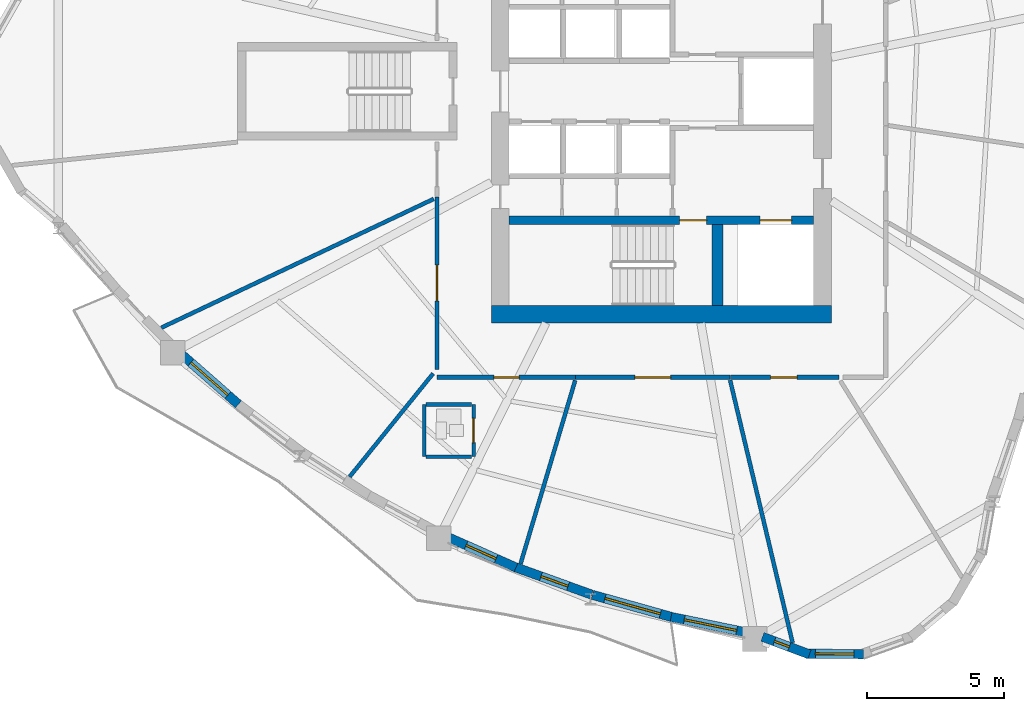
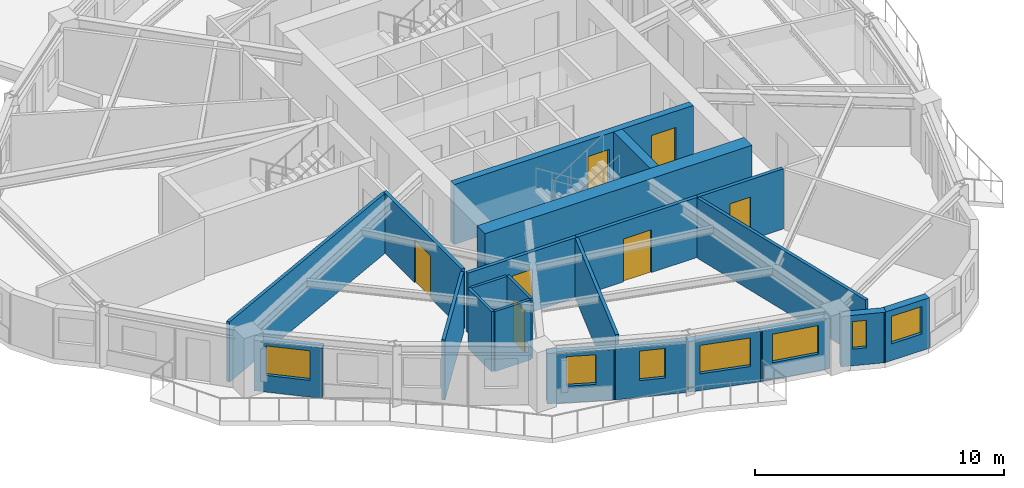
# One storey, part 3 of 13: 22 walls, 7 doors, 7 windows, 14 openings.
"""IFC4 building model written with IfcOpenShell, lengths in metres."""

from ifc_helpers import new_model, si_unit, direction, frame, frame_2d, origin, place, context, subcontext, project, spatial, rectangle, extrude, source, transform, mapped, material, layer, layer_set, type_object, element, fill, save


model = new_model("IFC4")

# Units and contexts
model_context = context("Model", 3, precision=1e-05, world=origin(), true_north=direction((0.0, 1.0)))
body_context = subcontext(model_context, "Body", "Model", "MODEL_VIEW")
ifc_project = project(units=[si_unit("LENGTHUNIT", "METRE"), si_unit("AREAUNIT", "SQUARE_METRE"), si_unit("VOLUMEUNIT", "CUBIC_METRE"), si_unit("PLANEANGLEUNIT", "RADIAN"), si_unit("MASSUNIT", "GRAM", prefix="KILO")], contexts=[model_context])

# Site, building, storey
site_placement = place(None, origin())
site = spatial("IfcSite", under=ifc_project, at=site_placement, CompositionType="ELEMENT")
building_placement = place(site_placement, origin())
building = spatial("IfcBuilding", under=site, at=building_placement, Name="Qafzar Sky-Pleat Residences", CompositionType="ELEMENT")
storey_placement = place(building_placement, frame((0.0, 0.0, 89.60009765625)))
storey = spatial("IfcBuildingStorey", under=building, at=storey_placement, Name="L26", CompositionType="ELEMENT", Elevation=89.60009765625)

# Wall, opening, door
ifc_material_1 = material(Name="Acoustic gypsum plasterboard partition", Category="gypsum")
ifc_layer_1 = layer(ifc_material_1, 0.159912109375)
ifc_layer_set_1 = layer_set([ifc_layer_1], Name="Acoustic gypsum plasterboard partition")
wall_type_1 = type_object("IfcWallType", Name="PART-COR-160", PredefinedType="PARTITIONING", material=ifc_layer_set_1)
wall_1_placement = place(storey_placement, frame((22.169921875, 15.862060546875, 0.0), z_axis=(0.0, 0.0, 1.0), x_axis=(0.0, 1.0, 0.0)))
wall_1 = element("IfcWall", 1, at=wall_1_placement, inside=storey, type_object=wall_type_1, Name="L26 Partition Wall PART-L26-PW-001", PredefinedType="PARTITIONING", context=body_context, shape_type="SweptSolid", body=[
    extrude(rectangle(XDim=6.286865234375, YDim=0.159912109375, at=frame_2d((3.1435546875, 0.0))), origin(), (0.0, 0.0, 1.0), 2.949951171875),
])
opening_1_placement = place(wall_1_placement, frame((2.49755859375, 0.0, 0.0)))
opening_1 = element("IfcOpeningElement", 2, at=opening_1_placement, cuts=wall_1, Name="Opening ID-05", PredefinedType="OPENING", context=body_context, shape_type="SweptSolid", body=[
    extrude(rectangle(XDim=1.300048828125, YDim=2.10009765625, at=frame_2d((0.64990234375, 1.050048828125))), frame((0.0, 0.08984375, 0.0), z_axis=(0.0, -1.0, 0.0), x_axis=(1.0, 0.0, 0.0)), (0.0, 0.0, 1.0), 0.179931640625),
])
ifc_material_2 = material(Name="Timber-faced fire door", Category="wood")
door_type_1 = type_object("IfcDoorType", Name="DR-LNG-1300", OperationType="DOUBLE_DOOR_SINGLE_SWING", PredefinedType="DOOR", material=ifc_material_2)
shared_shape_1 = source(origin(), body_context, "Body", "SweptSolid", [
    extrude(rectangle(XDim=1.300048828125, YDim=2.10009765625, at=frame_2d((0.64990234375, 1.050048828125))), frame((0.0, 0.02490234375, 0.0), z_axis=(0.0, -1.0, 0.0), x_axis=(1.0, 0.0, 0.0)), (0.0, 0.0, 1.0), 0.050048828125),
])
door_1_placement = place(opening_1_placement, origin())
door_1 = element("IfcDoor", 3, at=door_1_placement, inside=storey, type_object=door_type_1, Name="L26 Graduate Lecture Room Door", OperationType="DOUBLE_DOOR_SINGLE_SWING", OverallHeight=2.10009765625, OverallWidth=1.300048828125, PredefinedType="DOOR", context=body_context, shape_type="MappedRepresentation", body=[
    mapped(shared_shape_1, transform((0.0, 0.0, 0.0), x_axis=(1.0, 0.0, 0.0), y_axis=(0.0, 1.0, 0.0), z_axis=(0.0, 0.0, 1.0), scale=1.0)),
])
fill(opening_1, door_1)

wall_2_placement = place(storey_placement, frame((32.847900390625, 15.570068359375, 0.0), z_axis=(0.0, 0.0, 1.0), x_axis=(-1.0, 0.0, 0.0)))
wall_2 = element("IfcWall", 4, at=wall_2_placement, inside=storey, type_object=wall_type_1, Name="L26 Partition Wall PART-L26-PW-003", PredefinedType="PARTITIONING", context=body_context, shape_type="SweptSolid", body=[
    extrude(rectangle(XDim=5.620849609375, YDim=0.159912109375, at=frame_2d((2.810546875, 0.0))), origin(), (0.0, 0.0, 1.0), 2.949951171875),
])
opening_2_placement = place(wall_2_placement, frame((2.160400390625, 0.0, 0.0)))
opening_2 = element("IfcOpeningElement", 5, at=opening_2_placement, cuts=wall_2, Name="Opening ID-05", PredefinedType="OPENING", context=body_context, shape_type="SweptSolid", body=[
    extrude(rectangle(XDim=1.300048828125, YDim=2.10009765625, at=frame_2d((0.64990234375, 1.050048828125))), frame((0.0, 0.08984375, 0.0), z_axis=(0.0, -1.0, 0.0), x_axis=(1.0, 0.0, 0.0)), (0.0, 0.0, 1.0), 0.179931640625),
])
door_2_placement = place(opening_2_placement, origin())
door_2 = element("IfcDoor", 6, at=door_2_placement, inside=storey, type_object=door_type_1, Name="L26 Tutorial Huddle Room Door", OperationType="DOUBLE_DOOR_SINGLE_SWING", OverallHeight=2.10009765625, OverallWidth=1.300048828125, PredefinedType="DOOR", context=body_context, shape_type="MappedRepresentation", body=[
    mapped(shared_shape_1, transform((0.0, 0.0, 0.0), x_axis=(1.0, 0.0, 0.0), y_axis=(0.0, 1.0, 0.0), z_axis=(0.0, 0.0, 1.0), scale=1.0)),
])
fill(opening_2, door_2)

wall_3_placement = place(storey_placement, frame((27.2119140625, 15.570068359375, 0.0), z_axis=(0.0, 0.0, 1.0), x_axis=(-1.0, 0.0, 0.0)))
wall_3 = element("IfcWall", 7, at=wall_3_placement, inside=storey, type_object=wall_type_1, Name="L26 Partition Wall PART-L26-PW-004", PredefinedType="PARTITIONING", context=body_context, shape_type="SweptSolid", body=[
    extrude(rectangle(XDim=5.0419921875, YDim=0.159912109375, at=frame_2d((2.52099609375, 0.0))), origin(), (0.0, 0.0, 1.0), 2.949951171875),
])
opening_3_placement = place(wall_3_placement, frame((2.0458984375, 0.0, 0.0)))
opening_3 = element("IfcOpeningElement", 8, at=opening_3_placement, cuts=wall_3, Name="Opening ID-04", PredefinedType="OPENING", context=body_context, shape_type="SweptSolid", body=[
    extrude(rectangle(XDim=0.919921875, YDim=2.10009765625, at=frame_2d((0.4599609375, 1.050048828125))), frame((0.0, 0.08984375, 0.0), z_axis=(0.0, -1.0, 0.0), x_axis=(1.0, 0.0, 0.0)), (0.0, 0.0, 1.0), 0.179931640625),
])
door_type_2 = type_object("IfcDoorType", Name="DR-BED-920", OperationType="NOTDEFINED", PredefinedType="DOOR", material=ifc_material_2)
shared_shape_2 = source(origin(), body_context, "Body", "SweptSolid", [
    extrude(rectangle(XDim=0.919921875, YDim=2.10009765625, at=frame_2d((0.4599609375, 1.050048828125))), frame((0.0, 0.02490234375, 0.0), z_axis=(0.0, -1.0, 0.0), x_axis=(1.0, 0.0, 0.0)), (0.0, 0.0, 1.0), 0.050048828125),
])
door_3_placement = place(opening_3_placement, origin())
door_3 = element("IfcDoor", 9, at=door_3_placement, inside=storey, type_object=door_type_2, Name="L26 Co-Living Bedroom 1 Door", OperationType="SINGLE_SWING_LEFT", OverallHeight=2.10009765625, OverallWidth=0.919921875, PredefinedType="DOOR", context=body_context, shape_type="MappedRepresentation", body=[
    mapped(shared_shape_2, transform((0.0, 0.0, 0.0), x_axis=(1.0, 0.0, 0.0), y_axis=(0.0, 1.0, 0.0), z_axis=(0.0, 0.0, 1.0), scale=1.0)),
])
fill(opening_3, door_3)

wall_4_placement = place(storey_placement, frame((36.819091796875, 15.570068359375, 0.0), z_axis=(0.0, 0.0, 1.0), x_axis=(-1.0, 0.0, 0.0)))
wall_4 = element("IfcWall", 10, at=wall_4_placement, inside=storey, type_object=wall_type_1, Name="L26 Partition Wall PART-L26-PW-007", PredefinedType="PARTITIONING", context=body_context, shape_type="SweptSolid", body=[
    extrude(rectangle(XDim=3.9560546875, YDim=0.159912109375, at=frame_2d((1.97802734375, 0.0))), origin(), (0.0, 0.0, 1.0), 2.949951171875),
])
opening_4_placement = place(wall_4_placement, frame((1.52197265625, 0.0, 0.0)))
opening_4 = element("IfcOpeningElement", 11, at=opening_4_placement, cuts=wall_4, Name="Opening ID-06", PredefinedType="OPENING", context=body_context, shape_type="SweptSolid", body=[
    extrude(rectangle(XDim=0.9599609375, YDim=2.10009765625, at=frame_2d((0.47998046875, 1.050048828125))), frame((0.0, 0.08984375, 0.0), z_axis=(0.0, -1.0, 0.0), x_axis=(1.0, 0.0, 0.0)), (0.0, 0.0, 1.0), 0.179931640625),
])
door_type_3 = type_object("IfcDoorType", Name="DR-STD-960", OperationType="NOTDEFINED", PredefinedType="DOOR", material=ifc_material_2)
shared_shape_3 = source(origin(), body_context, "Body", "SweptSolid", [
    extrude(rectangle(XDim=0.9599609375, YDim=2.10009765625, at=frame_2d((0.47998046875, 1.050048828125))), frame((0.0, 0.02490234375, 0.0), z_axis=(0.0, -1.0, 0.0), x_axis=(1.0, 0.0, 0.0)), (0.0, 0.0, 1.0), 0.050048828125),
])
door_4_placement = place(opening_4_placement, origin())
door_4 = element("IfcDoor", 12, at=door_4_placement, inside=storey, type_object=door_type_3, Name="L26 Scholar Co-Working Workspace Door", OperationType="SINGLE_SWING_LEFT", OverallHeight=2.10009765625, OverallWidth=0.9599609375, PredefinedType="DOOR", context=body_context, shape_type="MappedRepresentation", body=[
    mapped(shared_shape_3, transform((0.0, 0.0, 0.0), x_axis=(1.0, 0.0, 0.0), y_axis=(0.0, 1.0, 0.0), z_axis=(0.0, 0.0, 1.0), scale=1.0)),
])
fill(opening_4, door_4)

# Walls
ifc_layer_2 = layer(ifc_material_1, 0.14501953125)
ifc_layer_set_2 = layer_set([ifc_layer_2], Name="Acoustic gypsum plasterboard partition")
wall_type_2 = type_object("IfcWallType", Name="PART-UNIT-145", PredefinedType="PARTITIONING", material=ifc_layer_set_2)
wall_5_placement = place(storey_placement, frame((12.122802734375, 17.3828125, 0.0), z_axis=(0.0, 0.0, 1.0), x_axis=(0.904049465168, 0.427427847162, 0.0)))
element("IfcWall", 13, at=wall_5_placement, inside=storey, type_object=wall_type_2, Name="L26 Partition Wall PART-L26-PW-023", PredefinedType="PARTITIONING", context=body_context, shape_type="SweptSolid", body=[
    extrude(rectangle(XDim=10.982666015625, YDim=0.14501953125, at=frame_2d((5.4912109375, 0.0))), origin(), (0.0, 0.0, 1.0), 2.949951171875),
])
wall_6_placement = place(storey_placement, frame((32.85791015625, 15.46533203125, 0.0), z_axis=(0.0, 0.0, 1.0), x_axis=(0.231516552249, -0.97283096478, 0.0)))
element("IfcWall", 14, at=wall_6_placement, inside=storey, type_object=wall_type_2, Name="L26 Partition Wall PART-L26-PW-024", PredefinedType="PARTITIONING", context=body_context, shape_type="SweptSolid", body=[
    extrude(rectangle(XDim=9.8408203125, YDim=0.14501953125, at=frame_2d((4.92041015625, 0.0))), origin(), (0.0, 0.0, 1.0), 2.949951171875),
])
wall_7_placement = place(storey_placement, frame((25.21728515625, 8.774169921875, 0.0), z_axis=(0.0, 0.0, 1.0), x_axis=(0.28553060174, 0.958369592313, 0.0)))
element("IfcWall", 15, at=wall_7_placement, inside=storey, type_object=wall_type_2, Name="L26 Partition Wall PART-L26-PW-030", PredefinedType="PARTITIONING", context=body_context, shape_type="SweptSolid", body=[
    extrude(rectangle(XDim=6.97802734375, YDim=0.14501953125, at=frame_2d((3.489013671875, 0.0))), origin(), (0.0, 0.0, 1.0), 2.949951171875),
])
wall_8_placement = place(storey_placement, frame((18.985595703125, 11.948486328125, 0.0), z_axis=(0.0, 0.0, 1.0), x_axis=(0.628820808954, 0.777550249326, 0.0)))
element("IfcWall", 16, at=wall_8_placement, inside=storey, type_object=wall_type_2, Name="L26 Partition Wall PART-L26-PW-038", PredefinedType="PARTITIONING", context=body_context, shape_type="SweptSolid", body=[
    extrude(rectangle(XDim=4.839111328125, YDim=0.14501953125, at=frame_2d((2.41943359375, 0.0))), origin(), (0.0, 0.0, 1.0), 2.949951171875),
])

# Wall, opening, door
ifc_material_3 = material(Name="Moisture-resistant gypsum partition", Category="gypsum")
ifc_layer_3 = layer(ifc_material_3, 0.1298828125)
ifc_layer_set_3 = layer_set([ifc_layer_3], Name="Moisture-resistant gypsum partition")
wall_type_3 = type_object("IfcWallType", Name="PART-WET-130", PredefinedType="PARTITIONING", material=ifc_layer_set_3)
wall_9_placement = place(storey_placement, frame((23.5029296875, 12.68310546875, 0.0), z_axis=(0.0, 0.0, 1.0), x_axis=(0.0, 1.0, 0.0)))
wall_9 = element("IfcWall", 17, at=wall_9_placement, inside=storey, type_object=wall_type_3, Name="L26 Partition Wall PART-L26-PW-015", PredefinedType="PARTITIONING", context=body_context, shape_type="SweptSolid", body=[
    extrude(rectangle(XDim=1.89990234375, YDim=0.1298828125, at=frame_2d((0.949951171875, 0.0))), origin(), (0.0, 0.0, 1.0), 2.949951171875),
])
opening_5_placement = place(wall_9_placement, frame((0.510009765625, 0.0, 0.0)))
opening_5 = element("IfcOpeningElement", 18, at=opening_5_placement, cuts=wall_9, Name="Opening ID-07", PredefinedType="OPENING", context=body_context, shape_type="SweptSolid", body=[
    extrude(rectangle(XDim=0.8798828125, YDim=2.050048828125, at=frame_2d((0.43994140625, 1.02490234375))), frame((0.0, 0.074951171875, 0.0), z_axis=(0.0, -1.0, 0.0), x_axis=(1.0, 0.0, 0.0)), (0.0, 0.0, 1.0), 0.14990234375),
])
door_type_4 = type_object("IfcDoorType", Name="DR-WET-880", OperationType="NOTDEFINED", PredefinedType="DOOR", material=ifc_material_2)
shared_shape_4 = source(origin(), body_context, "Body", "SweptSolid", [
    extrude(rectangle(XDim=0.8798828125, YDim=2.050048828125, at=frame_2d((0.43994140625, 1.02490234375))), frame((0.0, 0.02490234375, 0.0), z_axis=(0.0, -1.0, 0.0), x_axis=(1.0, 0.0, 0.0)), (0.0, 0.0, 1.0), 0.050048828125),
])
door_5_placement = place(opening_5_placement, origin())
door_5 = element("IfcDoor", 19, at=door_5_placement, inside=storey, type_object=door_type_4, Name="L26 En-suite Bathroom 1 Door", OperationType="SINGLE_SWING_LEFT", OverallHeight=2.050048828125, OverallWidth=0.8798828125, PredefinedType="DOOR", context=body_context, shape_type="MappedRepresentation", body=[
    mapped(shared_shape_4, transform((0.0, 0.0, 0.0), x_axis=(1.0, 0.0, 0.0), y_axis=(0.0, 1.0, 0.0), z_axis=(0.0, 0.0, 1.0), scale=1.0)),
])
fill(opening_5, door_5)

# Walls
wall_10_placement = place(storey_placement, frame((21.702880859375, 12.68310546875, 0.0), z_axis=(0.0, 0.0, 1.0), x_axis=(0.0, 1.0, 0.0)))
element("IfcWall", 20, at=wall_10_placement, inside=storey, type_object=wall_type_3, Name="L26 Partition Wall PART-L26-PW-042", PredefinedType="PARTITIONING", context=body_context, shape_type="SweptSolid", body=[
    extrude(rectangle(XDim=1.89990234375, YDim=0.1298828125, at=frame_2d((0.949951171875, 0.0))), origin(), (0.0, 0.0, 1.0), 2.949951171875),
])
for number, where, z_axis, x_axis, name in (
    (21, (21.77587890625, 14.5830078125, 0.0), (0.0, 0.0, 1.0), (1.0, 0.0, 0.0), "L26 Partition Wall PART-L26-PW-046"),
    (22, (21.77587890625, 12.68310546875, 0.0), (0.0, 0.0, 1.0), (1.0, 0.0, 0.0), "L26 Partition Wall PART-L26-PW-047"),
):
    element("IfcWall", number, at=place(storey_placement, frame(where, z_axis=z_axis, x_axis=x_axis)), inside=storey, type_object=wall_type_3, Name=name, PredefinedType="PARTITIONING", context=body_context, shape_type="SweptSolid", body=[
        extrude(rectangle(XDim=1.654052734375, YDim=0.1298828125, at=frame_2d((0.8271484375, 0.0))), origin(), (0.0, 0.0, 1.0), 2.949951171875),
    ])

# Wall, opening, window
ifc_material_4 = material(Name="Precast concrete C40/50 with honed Riyadh limestone", Category="concrete")
ifc_layer_4 = layer(ifc_material_4, 0.340087890625)
ifc_layer_set_4 = layer_set([ifc_layer_4], Name="Precast concrete C40/50 with honed Riyadh limestone")
wall_type_4 = type_object("IfcWallType", Name="WALL-EXT-340", PredefinedType="SOLIDWALL", material=ifc_layer_set_4)
wall_11_placement = place(storey_placement, frame((12.818603515625, 16.44140625, 0.0), z_axis=(0.0, 0.0, 1.0), x_axis=(0.751471759174, -0.659765257621, 0.0)))
wall_11 = element("IfcWall", 23, at=wall_11_placement, inside=storey, type_object=wall_type_4, Name="L26 Limestone Facade Wall 9", PredefinedType="SOLIDWALL", context=body_context, shape_type="SweptSolid", body=[
    extrude(rectangle(XDim=2.80859375, YDim=0.340087890625, at=frame_2d((1.404296875, 0.0))), origin(), (0.0, 0.0, 1.0), 2.47998046875),
])
opening_6_placement = place(wall_11_placement, frame((0.499267578125, 0.0, 0.820068359375)))
opening_6 = element("IfcOpeningElement", 24, at=opening_6_placement, cuts=wall_11, Name="Opening WN-01", PredefinedType="OPENING", context=body_context, shape_type="SweptSolid", body=[
    extrude(rectangle(XDim=1.800048828125, YDim=1.449951171875, at=frame_2d((0.89990234375, 0.72509765625))), frame((0.0, 0.18017578125, 0.0), z_axis=(0.0, -1.0, 0.0), x_axis=(1.0, 0.0, 0.0)), (0.0, 0.0, 1.0), 0.360107421875),
])
ifc_material_5 = material(Name="Solar-control low-E glass in bronze aluminium frame", Category="glass")
window_type_1 = type_object("IfcWindowType", Name="WIN-01", PartitioningType="DOUBLE_PANEL_VERTICAL", PredefinedType="WINDOW", material=ifc_material_5)
shared_shape_5 = source(origin(), body_context, "Body", "SweptSolid", [
    extrude(rectangle(XDim=1.800048828125, YDim=1.449951171875, at=frame_2d((0.89990234375, 0.72509765625))), frame((0.0, 0.030029296875, 0.0), z_axis=(0.0, -1.0, 0.0), x_axis=(1.0, 0.0, 0.0)), (0.0, 0.0, 1.0), 0.06005859375),
])
window_1_placement = place(opening_6_placement, origin())
window_1 = element("IfcWindow", 25, at=window_1_placement, inside=storey, type_object=window_type_1, Name="L26 Punched Facade Window 09", OverallHeight=1.449951171875, OverallWidth=1.800048828125, PartitioningType="SINGLE_PANEL", PredefinedType="WINDOW", context=body_context, shape_type="MappedRepresentation", body=[
    mapped(shared_shape_5, transform((0.0, 0.0, 0.0), x_axis=(1.0, 0.0, 0.0), y_axis=(0.0, 1.0, 0.0), z_axis=(0.0, 0.0, 1.0), scale=1.0)),
])
fill(opening_6, window_1)

wall_12_placement = place(storey_placement, frame((22.515625, 9.7666015625, 0.0), z_axis=(0.0, 0.0, 1.0), x_axis=(0.9134265589, -0.407003589046, 0.0)))
wall_12 = element("IfcWall", 26, at=wall_12_placement, inside=storey, type_object=wall_type_4, Name="L26 Limestone Facade Wall 13", PredefinedType="SOLIDWALL", context=body_context, shape_type="SweptSolid", body=[
    extrude(rectangle(XDim=2.77490234375, YDim=0.340087890625, at=frame_2d((1.387451171875, 0.0))), origin(), (0.0, 0.0, 1.0), 2.47998046875),
])
opening_7_placement = place(wall_12_placement, frame((0.782470703125, 0.0, 0.820068359375)))
opening_7 = element("IfcOpeningElement", 27, at=opening_7_placement, cuts=wall_12, Name="Opening WN-05", PredefinedType="OPENING", context=body_context, shape_type="SweptSolid", body=[
    extrude(rectangle(XDim=1.199951171875, YDim=1.449951171875, at=frame_2d((0.60009765625, 0.72509765625))), frame((0.0, 0.18017578125, 0.0), z_axis=(0.0, -1.0, 0.0), x_axis=(1.0, 0.0, 0.0)), (0.0, 0.0, 1.0), 0.360107421875),
])
window_type_2 = type_object("IfcWindowType", Name="WIN-05", PartitioningType="SINGLE_PANEL", PredefinedType="WINDOW", material=ifc_material_5)
shared_shape_6 = source(origin(), body_context, "Body", "SweptSolid", [
    extrude(rectangle(XDim=1.199951171875, YDim=1.449951171875, at=frame_2d((0.60009765625, 0.72509765625))), frame((0.0, 0.030029296875, 0.0), z_axis=(0.0, -1.0, 0.0), x_axis=(1.0, 0.0, 0.0)), (0.0, 0.0, 1.0), 0.06005859375),
])
window_2_placement = place(opening_7_placement, origin())
window_2 = element("IfcWindow", 28, at=window_2_placement, inside=storey, type_object=window_type_2, Name="L26 Punched Facade Window 13", OverallHeight=1.449951171875, OverallWidth=1.199951171875, PartitioningType="SINGLE_PANEL", PredefinedType="WINDOW", context=body_context, shape_type="MappedRepresentation", body=[
    mapped(shared_shape_6, transform((0.0, 0.0, 0.0), x_axis=(1.0, 0.0, 0.0), y_axis=(0.0, 1.0, 0.0), z_axis=(0.0, 0.0, 1.0), scale=1.0)),
])
fill(opening_7, window_2)

wall_13_placement = place(storey_placement, frame((24.968017578125, 8.670166015625, 0.0), z_axis=(0.0, 0.0, 1.0), x_axis=(0.941101658803, -0.33812374628, 0.0)))
wall_13 = element("IfcWall", 29, at=wall_13_placement, inside=storey, type_object=wall_type_4, Name="L26 Limestone Facade Wall 14", PredefinedType="SOLIDWALL", context=body_context, shape_type="SweptSolid", body=[
    extrude(rectangle(XDim=3.018798828125, YDim=0.340087890625, at=frame_2d((1.50927734375, 0.0))), origin(), (0.0, 0.0, 1.0), 2.47998046875),
])
opening_8_placement = place(wall_13_placement, frame((1.0546875, 0.0, 0.820068359375)))
opening_8 = element("IfcOpeningElement", 30, at=opening_8_placement, cuts=wall_13, Name="Opening WN-06", PredefinedType="OPENING", context=body_context, shape_type="SweptSolid", body=[
    extrude(rectangle(XDim=1.050048828125, YDim=1.449951171875, at=frame_2d((0.52490234375, 0.72509765625))), frame((0.0, 0.18017578125, 0.0), z_axis=(0.0, -1.0, 0.0), x_axis=(1.0, 0.0, 0.0)), (0.0, 0.0, 1.0), 0.360107421875),
])
window_type_3 = type_object("IfcWindowType", Name="WIN-06", PartitioningType="SINGLE_PANEL", PredefinedType="WINDOW", material=ifc_material_5)
shared_shape_7 = source(origin(), body_context, "Body", "SweptSolid", [
    extrude(rectangle(XDim=1.050048828125, YDim=1.449951171875, at=frame_2d((0.52490234375, 0.72509765625))), frame((0.0, 0.030029296875, 0.0), z_axis=(0.0, -1.0, 0.0), x_axis=(1.0, 0.0, 0.0)), (0.0, 0.0, 1.0), 0.06005859375),
])
window_3_placement = place(opening_8_placement, origin())
window_3 = element("IfcWindow", 31, at=window_3_placement, inside=storey, type_object=window_type_3, Name="L26 Punched Facade Window 14", OverallHeight=1.449951171875, OverallWidth=1.050048828125, PartitioningType="SINGLE_PANEL", PredefinedType="WINDOW", context=body_context, shape_type="MappedRepresentation", body=[
    mapped(shared_shape_7, transform((0.0, 0.0, 0.0), x_axis=(1.0, 0.0, 0.0), y_axis=(0.0, 1.0, 0.0), z_axis=(0.0, 0.0, 1.0), scale=1.0)),
])
fill(opening_8, window_3)

wall_14_placement = place(storey_placement, frame((27.835205078125, 7.64111328125, 0.0), z_axis=(0.0, 0.0, 1.0), x_axis=(0.963049084537, -0.269325937802, 0.0)))
wall_14 = element("IfcWall", 32, at=wall_14_placement, inside=storey, type_object=wall_type_4, Name="L26 Limestone Facade Wall 15", PredefinedType="SOLIDWALL", context=body_context, shape_type="SweptSolid", body=[
    extrude(rectangle(XDim=3.068359375, YDim=0.340087890625, at=frame_2d((1.5341796875, 0.0))), origin(), (0.0, 0.0, 1.0), 2.47998046875),
])
opening_9_placement = place(wall_14_placement, frame((0.47412109375, 0.0, 0.820068359375)))
opening_9 = element("IfcOpeningElement", 33, at=opening_9_placement, cuts=wall_14, Name="Opening WN-07", PredefinedType="OPENING", context=body_context, shape_type="SweptSolid", body=[
    extrude(rectangle(XDim=2.10009765625, YDim=1.39990234375, at=frame_2d((1.050048828125, 0.699951171875))), frame((0.0, 0.18017578125, 0.0), z_axis=(0.0, -1.0, 0.0), x_axis=(1.0, 0.0, 0.0)), (0.0, 0.0, 1.0), 0.360107421875),
])
window_type_4 = type_object("IfcWindowType", Name="WIN-07", PartitioningType="DOUBLE_PANEL_VERTICAL", PredefinedType="WINDOW", material=ifc_material_5)
shared_shape_8 = source(origin(), body_context, "Body", "SweptSolid", [
    extrude(rectangle(XDim=2.10009765625, YDim=1.39990234375, at=frame_2d((1.050048828125, 0.699951171875))), frame((0.0, 0.030029296875, 0.0), z_axis=(0.0, -1.0, 0.0), x_axis=(1.0, 0.0, 0.0)), (0.0, 0.0, 1.0), 0.06005859375),
])
window_4_placement = place(opening_9_placement, origin())
window_4 = element("IfcWindow", 34, at=window_4_placement, inside=storey, type_object=window_type_4, Name="L26 Punched Facade Window 15", OverallHeight=1.39990234375, OverallWidth=2.10009765625, PartitioningType="SINGLE_PANEL", PredefinedType="WINDOW", context=body_context, shape_type="MappedRepresentation", body=[
    mapped(shared_shape_8, transform((0.0, 0.0, 0.0), x_axis=(1.0, 0.0, 0.0), y_axis=(0.0, 1.0, 0.0), z_axis=(0.0, 0.0, 1.0), scale=1.0)),
])
fill(opening_9, window_4)

wall_15_placement = place(storey_placement, frame((30.705078125, 6.835205078125, 0.0), z_axis=(0.0, 0.0, 1.0), x_axis=(0.979433750273, -0.201766024954, 0.0)))
wall_15 = element("IfcWall", 35, at=wall_15_placement, inside=storey, type_object=wall_type_4, Name="L26 Limestone Facade Wall 16", PredefinedType="SOLIDWALL", context=body_context, shape_type="SweptSolid", body=[
    extrude(rectangle(XDim=2.92333984375, YDim=0.340087890625, at=frame_2d((1.461669921875, 0.0))), origin(), (0.0, 0.0, 1.0), 2.47998046875),
])
opening_10_placement = place(wall_15_placement, frame((0.49169921875, 0.0, 0.820068359375)))
opening_10 = element("IfcOpeningElement", 36, at=opening_10_placement, cuts=wall_15, Name="Opening WN-08", PredefinedType="OPENING", context=body_context, shape_type="SweptSolid", body=[
    extrude(rectangle(XDim=1.949951171875, YDim=1.39990234375, at=frame_2d((0.97509765625, 0.699951171875))), frame((0.0, 0.18017578125, 0.0), z_axis=(0.0, -1.0, 0.0), x_axis=(1.0, 0.0, 0.0)), (0.0, 0.0, 1.0), 0.360107421875),
])
window_type_5 = type_object("IfcWindowType", Name="WIN-08", PartitioningType="DOUBLE_PANEL_VERTICAL", PredefinedType="WINDOW", material=ifc_material_5)
shared_shape_9 = source(origin(), body_context, "Body", "SweptSolid", [
    extrude(rectangle(XDim=1.949951171875, YDim=1.39990234375, at=frame_2d((0.97509765625, 0.699951171875))), frame((0.0, 0.030029296875, 0.0), z_axis=(0.0, -1.0, 0.0), x_axis=(1.0, 0.0, 0.0)), (0.0, 0.0, 1.0), 0.06005859375),
])
window_5_placement = place(opening_10_placement, origin())
window_5 = element("IfcWindow", 37, at=window_5_placement, inside=storey, type_object=window_type_5, Name="L26 Punched Facade Window 16", OverallHeight=1.39990234375, OverallWidth=1.949951171875, PartitioningType="SINGLE_PANEL", PredefinedType="WINDOW", context=body_context, shape_type="MappedRepresentation", body=[
    mapped(shared_shape_9, transform((0.0, 0.0, 0.0), x_axis=(1.0, 0.0, 0.0), y_axis=(0.0, 1.0, 0.0), z_axis=(0.0, 0.0, 1.0), scale=1.0)),
])
fill(opening_10, window_5)

wall_16_placement = place(storey_placement, frame((34.0341796875, 6.111328125, 0.0), z_axis=(0.0, 0.0, 1.0), x_axis=(0.936815884802, -0.349822809409, 0.0)))
wall_16 = element("IfcWall", 38, at=wall_16_placement, inside=storey, type_object=wall_type_4, Name="L26 Limestone Facade Wall 17", PredefinedType="SOLIDWALL", context=body_context, shape_type="SweptSolid", body=[
    extrude(rectangle(XDim=1.831298828125, YDim=0.340087890625, at=frame_2d((0.91552734375, 0.0))), origin(), (0.0, 0.0, 1.0), 2.47998046875),
])
opening_11_placement = place(wall_16_placement, frame((0.46630859375, 0.0, 0.820068359375)))
opening_11 = element("IfcOpeningElement", 39, at=opening_11_placement, cuts=wall_16, Name="Opening WN-17", PredefinedType="OPENING", context=body_context, shape_type="SweptSolid", body=[
    extrude(rectangle(XDim=0.580078125, YDim=1.35009765625, at=frame_2d((0.2900390625, 0.675048828125))), frame((0.0, 0.18017578125, 0.0), z_axis=(0.0, -1.0, 0.0), x_axis=(1.0, 0.0, 0.0)), (0.0, 0.0, 1.0), 0.360107421875),
])
window_type_6 = type_object("IfcWindowType", Name="WIN-17", PartitioningType="SINGLE_PANEL", PredefinedType="WINDOW", material=ifc_material_5)
shared_shape_10 = source(origin(), body_context, "Body", "SweptSolid", [
    extrude(rectangle(XDim=0.580078125, YDim=1.35009765625, at=frame_2d((0.2900390625, 0.675048828125))), frame((0.0, 0.030029296875, 0.0), z_axis=(0.0, -1.0, 0.0), x_axis=(1.0, 0.0, 0.0)), (0.0, 0.0, 1.0), 0.06005859375),
])
window_6_placement = place(opening_11_placement, origin())
window_6 = element("IfcWindow", 40, at=window_6_placement, inside=storey, type_object=window_type_6, Name="L26 Punched Facade Window 17", OverallHeight=1.35009765625, OverallWidth=0.580078125, PartitioningType="SINGLE_PANEL", PredefinedType="WINDOW", context=body_context, shape_type="MappedRepresentation", body=[
    mapped(shared_shape_10, transform((0.0, 0.0, 0.0), x_axis=(1.0, 0.0, 0.0), y_axis=(0.0, 1.0, 0.0), z_axis=(0.0, 0.0, 1.0), scale=1.0)),
])
fill(opening_11, window_6)

wall_17_placement = place(storey_placement, frame((35.617919921875, 5.4951171875, 0.0), z_axis=(0.0, 0.0, 1.0), x_axis=(0.999976451414, -0.006862697526, 0.0)))
wall_17 = element("IfcWall", 41, at=wall_17_placement, inside=storey, type_object=wall_type_4, Name="L26 Limestone Facade Wall 18", PredefinedType="SOLIDWALL", context=body_context, shape_type="SweptSolid", body=[
    extrude(rectangle(XDim=2.098876953125, YDim=0.340087890625, at=frame_2d((1.04931640625, 0.0))), origin(), (0.0, 0.0, 1.0), 2.47998046875),
])
opening_12_placement = place(wall_17_placement, frame((0.349609375, 0.0, 0.820068359375)))
opening_12 = element("IfcOpeningElement", 42, at=opening_12_placement, cuts=wall_17, Name="Opening WN-10", PredefinedType="OPENING", context=body_context, shape_type="SweptSolid", body=[
    extrude(rectangle(XDim=1.39990234375, YDim=1.35009765625, at=frame_2d((0.699951171875, 0.675048828125))), frame((0.0, 0.18017578125, 0.0), z_axis=(0.0, -1.0, 0.0), x_axis=(1.0, 0.0, 0.0)), (0.0, 0.0, 1.0), 0.360107421875),
])
window_type_7 = type_object("IfcWindowType", Name="WIN-10", PartitioningType="SINGLE_PANEL", PredefinedType="WINDOW", material=ifc_material_5)
shared_shape_11 = source(origin(), body_context, "Body", "SweptSolid", [
    extrude(rectangle(XDim=1.39990234375, YDim=1.35009765625, at=frame_2d((0.699951171875, 0.675048828125))), frame((0.0, 0.030029296875, 0.0), z_axis=(0.0, -1.0, 0.0), x_axis=(1.0, 0.0, 0.0)), (0.0, 0.0, 1.0), 0.06005859375),
])
window_7_placement = place(opening_12_placement, origin())
window_7 = element("IfcWindow", 43, at=window_7_placement, inside=storey, type_object=window_type_7, Name="L26 Punched Facade Window 18", OverallHeight=1.35009765625, OverallWidth=1.39990234375, PartitioningType="SINGLE_PANEL", PredefinedType="WINDOW", context=body_context, shape_type="MappedRepresentation", body=[
    mapped(shared_shape_11, transform((0.0, 0.0, 0.0), x_axis=(1.0, 0.0, 0.0), y_axis=(0.0, 1.0, 0.0), z_axis=(0.0, 0.0, 1.0), scale=1.0)),
])
fill(opening_12, window_7)

# Wall, openings, doors
ifc_material_6 = material(Name="Concrete C60/75", Category="concrete")
ifc_layer_5 = layer(ifc_material_6, 0.300048828125)
ifc_layer_set_5 = layer_set([ifc_layer_5], Name="Concrete C60/75")
wall_type_5 = type_object("IfcWallType", Name="WALL-SHEAR-300", PredefinedType="SHEAR", material=ifc_layer_set_5)
wall_18_placement = place(storey_placement, frame((24.800048828125, 21.300048828125, 0.0), z_axis=(0.0, 0.0, 1.0), x_axis=(1.0, 0.0, 0.0)))
wall_18 = element("IfcWall", 44, at=wall_18_placement, inside=storey, type_object=wall_type_5, Name="L26 Stair ST1 and FF1 Shaft North Wall", PredefinedType="SHEAR", context=body_context, shape_type="SweptSolid", body=[
    extrude(rectangle(XDim=11.099853515625, YDim=0.300048828125, at=frame_2d((5.5498046875, 0.0))), origin(), (0.0, 0.0, 1.0), 2.949951171875),
])
opening_13_placement = place(wall_18_placement, frame((6.219970703125, 0.0, 0.0)))
opening_13 = element("IfcOpeningElement", 45, at=opening_13_placement, cuts=wall_18, Name="Opening ID-01", PredefinedType="OPENING", context=body_context, shape_type="SweptSolid", body=[
    extrude(rectangle(XDim=0.97998046875, YDim=2.14990234375, at=frame_2d((0.489990234375, 1.074951171875))), frame((0.0, 0.16015625, 0.0), z_axis=(0.0, -1.0, 0.0), x_axis=(1.0, 0.0, 0.0)), (0.0, 0.0, 1.0), 0.320068359375),
])
opening_14_placement = place(wall_18_placement, frame((9.14990234375, 0.0, 0.0)))
opening_14 = element("IfcOpeningElement", 46, at=opening_14_placement, cuts=wall_18, Name="Opening LD-02", PredefinedType="OPENING", context=body_context, shape_type="SweptSolid", body=[
    extrude(rectangle(XDim=1.14990234375, YDim=2.14990234375, at=frame_2d((0.574951171875, 1.074951171875))), frame((0.0, 0.16015625, 0.0), z_axis=(0.0, -1.0, 0.0), x_axis=(1.0, 0.0, 0.0)), (0.0, 0.0, 1.0), 0.320068359375),
])
door_type_5 = type_object("IfcDoorType", Name="DR-STAIR-980", OperationType="NOTDEFINED", PredefinedType="DOOR", material=ifc_material_2)
shared_shape_12 = source(origin(), body_context, "Body", "SweptSolid", [
    extrude(rectangle(XDim=0.97998046875, YDim=2.14990234375, at=frame_2d((0.489990234375, 1.074951171875))), frame((0.0, 0.02490234375, 0.0), z_axis=(0.0, -1.0, 0.0), x_axis=(1.0, 0.0, 0.0)), (0.0, 0.0, 1.0), 0.050048828125),
])
door_6_placement = place(opening_13_placement, origin())
door_6 = element("IfcDoor", 47, at=door_6_placement, inside=storey, type_object=door_type_5, Name="L26 Stair ST1 Fire Door", OperationType="SINGLE_SWING_LEFT", OverallHeight=2.14990234375, OverallWidth=0.97998046875, PredefinedType="DOOR", context=body_context, shape_type="MappedRepresentation", body=[
    mapped(shared_shape_12, transform((0.0, 0.0, 0.0), x_axis=(1.0, 0.0, 0.0), y_axis=(0.0, 1.0, 0.0), z_axis=(0.0, 0.0, 1.0), scale=1.0)),
])
fill(opening_13, door_6)
ifc_material_7 = material(Name="Stainless steel sliding landing door", Category="steel")
door_type_6 = type_object("IfcDoorType", Name="DR-LIFT-FF", OperationType="DOUBLE_DOOR_SLIDING", PredefinedType="DOOR", material=ifc_material_7)
shared_shape_13 = source(origin(), body_context, "Body", "SweptSolid", [
    extrude(rectangle(XDim=1.14990234375, YDim=2.14990234375, at=frame_2d((0.574951171875, 1.074951171875))), frame((0.0, 0.02490234375, 0.0), z_axis=(0.0, -1.0, 0.0), x_axis=(1.0, 0.0, 0.0)), (0.0, 0.0, 1.0), 0.050048828125),
])
door_7_placement = place(opening_14_placement, origin())
door_7 = element("IfcDoor", 48, at=door_7_placement, inside=storey, type_object=door_type_6, Name="L26 Firefighting Lift FF1 Landing Door", OperationType="DOUBLE_DOOR_SLIDING", OverallHeight=2.14990234375, OverallWidth=1.14990234375, PredefinedType="DOOR", context=body_context, shape_type="MappedRepresentation", body=[
    mapped(shared_shape_13, transform((0.0, 0.0, 0.0), x_axis=(1.0, 0.0, 0.0), y_axis=(0.0, 1.0, 0.0), z_axis=(0.0, 0.0, 1.0), scale=1.0)),
])
fill(opening_14, door_7)

# Walls
ifc_layer_6 = layer(ifc_material_6, 0.39990234375)
ifc_layer_set_6 = layer_set([ifc_layer_6], Name="Concrete C60/75")
wall_type_6 = type_object("IfcWallType", Name="WALL-SHEAR-400", PredefinedType="SHEAR", material=ifc_layer_set_6)
wall_19_placement = place(storey_placement, frame((32.39990234375, 18.199951171875, 0.0), z_axis=(0.0, 0.0, 1.0), x_axis=(0.0, 1.0, 0.0)))
element("IfcWall", 49, at=wall_19_placement, inside=storey, type_object=wall_type_6, Name="L26 Stair ST1 East Dividing Wall", PredefinedType="SHEAR", context=body_context, shape_type="SweptSolid", body=[
    extrude(rectangle(XDim=2.949951171875, YDim=0.39990234375, at=frame_2d((1.47509765625, 0.0))), origin(), (0.0, 0.0, 1.0), 2.949951171875),
])
ifc_layer_7 = layer(ifc_material_6, 0.64990234375)
ifc_layer_set_7 = layer_set([ifc_layer_7], Name="Concrete C60/75")
wall_type_7 = type_object("IfcWallType", Name="WALL-SHEAR-650", PredefinedType="SHEAR", material=ifc_layer_set_7)
wall_20_placement = place(storey_placement, frame((24.14990234375, 17.875, 0.0), z_axis=(0.0, 0.0, 1.0), x_axis=(1.0, 0.0, 0.0)))
element("IfcWall", 50, at=wall_20_placement, inside=storey, type_object=wall_type_7, Name="L26 CORE wall S", PredefinedType="SHEAR", context=body_context, shape_type="SweptSolid", body=[
    extrude(rectangle(XDim=12.400146484375, YDim=0.64990234375, at=frame_2d((6.2001953125, 0.0))), origin(), (0.0, 0.0, 1.0), 2.949951171875),
])

save(model, "model.ifc")
